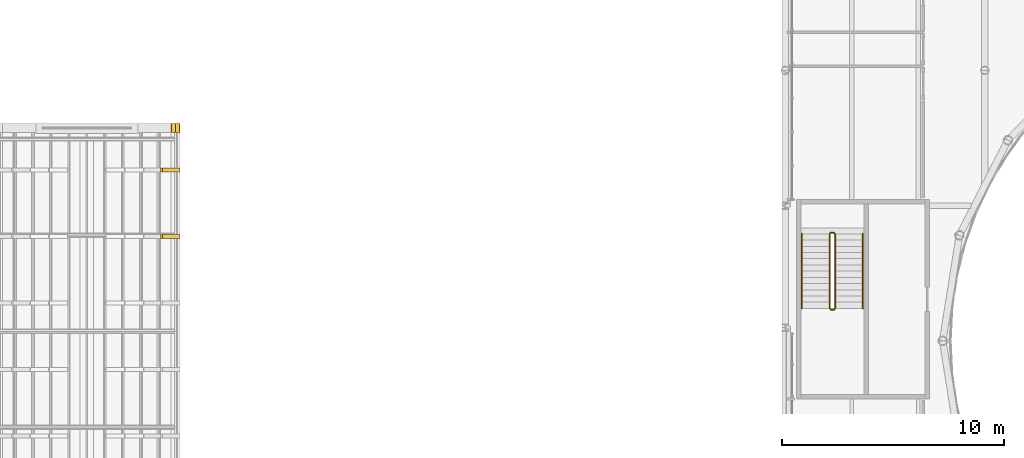
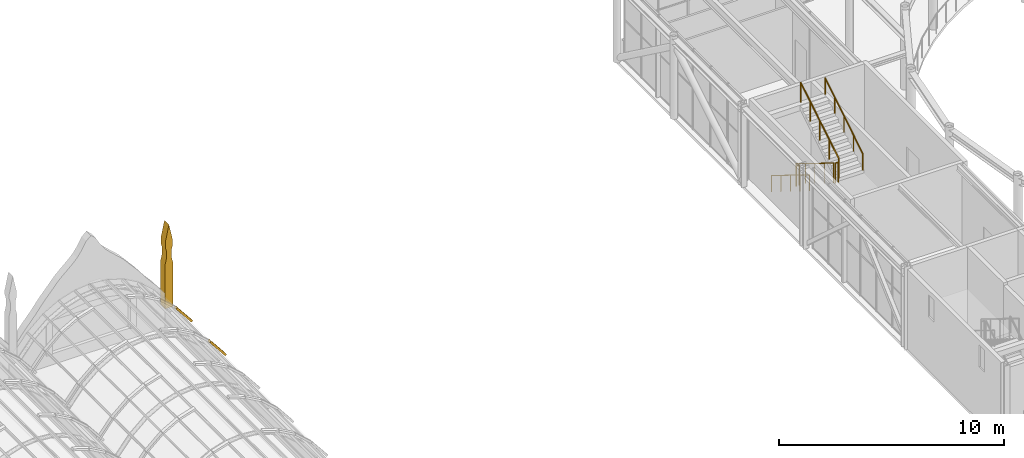
# One storey, part 101 of 111: 6 railings, 3 coverings.
"""IFC4 building model written with IfcOpenShell, lengths in metres."""

from ifc_helpers import new_model, si_unit, direction, frame, origin, origin_2d, place, context, subcontext, project, spatial, polyline, circle, outline, extrude, material, layer, layer_set, type_object, element, save


model = new_model("IFC4")

# Units and contexts
model_context = context("Model", 3, precision=1e-05, world=origin(), true_north=direction((0.0, 1.0)))
body_context = subcontext(model_context, "Body", "Model", "MODEL_VIEW")
ifc_project = project(units=[si_unit("LENGTHUNIT", "METRE"), si_unit("AREAUNIT", "SQUARE_METRE"), si_unit("VOLUMEUNIT", "CUBIC_METRE"), si_unit("PLANEANGLEUNIT", "RADIAN"), si_unit("MASSUNIT", "GRAM", prefix="KILO")], contexts=[model_context])

# Site, building, storey
site_placement = place(None, origin())
site = spatial("IfcSite", under=ifc_project, at=site_placement, CompositionType="ELEMENT")
building_placement = place(site_placement, origin())
building = spatial("IfcBuilding", under=site, at=building_placement, Name="Kallimachos Central Library", CompositionType="ELEMENT")
storey_placement = place(building_placement, frame((0.0, 0.0, 14.39990234375)))
storey = spatial("IfcBuildingStorey", under=building, at=storey_placement, Name="L03", CompositionType="ELEMENT", Elevation=14.39990234375)

# Coverings
ifc_material_1 = material(Name="Glazed ceramic roll tile")
ifc_layer_1 = layer(ifc_material_1, 0.10009765625)
ifc_layer_set_1 = layer_set([ifc_layer_1], Name="Ceramic roll tile rib 180")
covering_type_1 = type_object("IfcCoveringType", Name="Ceramic roll tile rib 180", PredefinedType="ROOFING", material=ifc_layer_set_1)
for number, where, z_axis, x_axis, name in (
    (1, (37.4033203125, 109.010009765625, 2.30224609375), (0.780793550648, 0.0, 0.624789109434), (0.624789109434, 0.0, -0.780793550648), "Barrel roof 4 roll tile rib"),
    (2, (37.4033203125, 112.010009765625, 2.30224609375), (0.780793550648, 0.0, 0.624789109434), (0.624789109434, 0.0, -0.780793550648), "Barrel roof 4 roll tile rib"),
):
    element("IfcCovering", number, at=place(storey_placement, frame(where, z_axis=z_axis, x_axis=x_axis)), inside=storey, type_object=covering_type_1, Name=name, PredefinedType="ROOFING", context=body_context, shape_type="SweptSolid", body=[
        extrude(outline(polyline([(0.0, 0.0), (1.266052197543391, 0.0), (1.266052197543391, 0.179931640625), (0.0, 0.179931640625), (0.0, 0.0)])), origin(), (0.0, 0.0, -1.0), 0.10009765625),
    ])
ifc_material_2 = material(Name="Pentelic marble pinnacle", Category="masonry")
ifc_layer_2 = layer(ifc_material_2, 0.39990234375)
ifc_layer_set_2 = layer_set([ifc_layer_2], Name="Stone pinnacle 400")
covering_type_2 = type_object("IfcCoveringType", Name="Stone pinnacle 400", PredefinedType="MOLDING", material=ifc_layer_set_2)
covering_placement = place(storey_placement, frame((37.800048828125, 114.199951171875, 1.0), z_axis=(0.0, 1.0, 0.0), x_axis=(0.0, 0.0, 1.0)))
element("IfcCovering", 3, at=covering_placement, inside=storey, type_object=covering_type_2, Name="Pinnacle line 5 north", PredefinedType="MOLDING", context=body_context, shape_type="SweptSolid", body=[
    extrude(outline(polyline([(0.0, 0.0), (2.400146484375, 0.0), (2.7001953125, 0.070068359375), (3.10009765625, 0.070068359375), (3.35009765625, 0.010009765625), (3.60009765625, 0.010009765625), (4.5, 0.199951171875), (3.60009765625, 0.389892578125), (3.35009765625, 0.389892578125), (3.10009765625, 0.329833984375), (2.7001953125, 0.329833984375), (2.400146484375, 0.39990234375), (0.0, 0.39990234375), (0.0, 0.199951171875), (0.0, 0.0)])), origin(), (0.0, 0.0, -1.0), 0.39990234375),
])

# Railings
ifc_material_3 = material(Name="Wrought iron")
railing_type_1 = type_object("IfcRailingType", Name="Wrought-iron handrail 900", PredefinedType="HANDRAIL", material=ifc_material_3)
railing_1_placement = place(storey_placement, frame((66.25, 109.22509765625, 0.173095703125)))
element("IfcRailing", 4, at=railing_1_placement, inside=storey, type_object=railing_type_1, Name="L03 ST3 stair handrail 1", PredefinedType="HANDRAIL", context=body_context, shape_type="SweptSolid", body=[
    extrude(circle(Radius=0.02392578125, at=origin_2d()), frame((0.0, 0.0, 0.8759765625), z_axis=(0.0, -0.850623216509, 0.525775754039), x_axis=(1.0, 0.0, 0.0)), (0.0, 0.0, 1.0), 3.9501953125),
    extrude(circle(Radius=0.02099609375, at=origin_2d()), origin(), (0.0, 0.0, 1.0), 0.851806640625),
    extrude(circle(Radius=0.02099609375, at=origin_2d()), frame((0.0, -0.840087890625, 0.519287109375)), (0.0, 0.0, 1.0), 0.851806640625),
    extrude(circle(Radius=0.02099609375, at=origin_2d()), frame((0.0, -1.68017578125, 1.03857421875)), (0.0, 0.0, 1.0), 0.851806640625),
    extrude(circle(Radius=0.02099609375, at=origin_2d()), frame((0.0, -2.52001953125, 1.5576171875)), (0.0, 0.0, 1.0), 0.851806640625),
    extrude(circle(Radius=0.02099609375, at=origin_2d()), frame((0.0, -3.360107421875, 2.076904296875)), (0.0, 0.0, 1.0), 0.851806640625),
])
railing_2_placement = place(storey_placement, frame((69.0, 105.864990234375, 2.423095703125)))
element("IfcRailing", 5, at=railing_2_placement, inside=storey, type_object=railing_type_1, Name="L03 ST3 stair handrail 2", PredefinedType="HANDRAIL", context=body_context, shape_type="SweptSolid", body=[
    extrude(circle(Radius=0.02392578125, at=origin_2d()), frame((0.0, 0.0, 0.8759765625), z_axis=(0.0, 0.850623216509, 0.525775754039), x_axis=(-1.0, 0.0, 0.0)), (0.0, 0.0, 1.0), 3.9501953125),
    extrude(circle(Radius=0.02099609375, at=origin_2d()), origin(), (0.0, 0.0, 1.0), 0.851806640625),
    extrude(circle(Radius=0.02099609375, at=origin_2d()), frame((0.0, 0.840087890625, 0.519287109375)), (0.0, 0.0, 1.0), 0.851806640625),
    extrude(circle(Radius=0.02099609375, at=origin_2d()), frame((0.0, 1.68017578125, 1.03857421875)), (0.0, 0.0, 1.0), 0.851806640625),
    extrude(circle(Radius=0.02099609375, at=origin_2d()), frame((0.0, 2.52001953125, 1.5576171875)), (0.0, 0.0, 1.0), 0.851806640625),
    extrude(circle(Radius=0.02099609375, at=origin_2d()), frame((0.0, 3.360107421875, 2.076904296875)), (0.0, 0.0, 1.0), 0.851806640625),
])
ifc_material_4 = material(Name="Wrought iron")
railing_type_2 = type_object("IfcRailingType", Name="Wrought-iron stair guard 1100", PredefinedType="GUARDRAIL", material=ifc_material_4)
railing_3_placement = place(storey_placement, frame((67.5, 109.22509765625, 0.173095703125)))
element("IfcRailing", 6, at=railing_3_placement, inside=storey, type_object=railing_type_2, Name="L03 ST3 stair guard 1", PredefinedType="GUARDRAIL", context=body_context, shape_type="SweptSolid", body=[
    extrude(circle(Radius=0.02392578125, at=origin_2d()), frame((0.0, 0.0, 1.076171875), z_axis=(0.0, -0.850623216509, 0.525775754039), x_axis=(1.0, 0.0, 0.0)), (0.0, 0.0, 1.0), 3.9501953125),
    extrude(circle(Radius=0.02099609375, at=origin_2d()), origin(), (0.0, 0.0, 1.0), 1.052001953125),
    extrude(circle(Radius=0.02099609375, at=origin_2d()), frame((0.0, -0.840087890625, 0.519287109375)), (0.0, 0.0, 1.0), 1.052001953125),
    extrude(circle(Radius=0.02099609375, at=origin_2d()), frame((0.0, -1.68017578125, 1.03857421875)), (0.0, 0.0, 1.0), 1.052001953125),
    extrude(circle(Radius=0.02099609375, at=origin_2d()), frame((0.0, -2.52001953125, 1.5576171875)), (0.0, 0.0, 1.0), 1.052001953125),
    extrude(circle(Radius=0.02099609375, at=origin_2d()), frame((0.0, -3.360107421875, 2.076904296875)), (0.0, 0.0, 1.0), 1.052001953125),
])
railing_4_placement = place(storey_placement, frame((67.550048828125, 105.81494140625, 2.25)))
element("IfcRailing", 7, at=railing_4_placement, inside=storey, type_object=railing_type_2, Name="L03 ST3 stair guard 2", PredefinedType="GUARDRAIL", context=body_context, shape_type="SweptSolid", body=[
    extrude(circle(Radius=0.02392578125, at=origin_2d()), frame((0.0, 0.0, 1.076171875), z_axis=(1.0, 0.0, 0.0), x_axis=(0.0, 1.0, 0.0)), (0.0, 0.0, 1.0), 0.14990234375),
    extrude(circle(Radius=0.02099609375, at=origin_2d()), origin(), (0.0, 0.0, 1.0), 1.052001953125),
    extrude(circle(Radius=0.02099609375, at=origin_2d()), frame((0.14990234375, 0.0, 0.0)), (0.0, 0.0, 1.0), 1.052001953125),
])
railing_5_placement = place(storey_placement, frame((67.75, 105.864990234375, 2.423095703125)))
element("IfcRailing", 8, at=railing_5_placement, inside=storey, type_object=railing_type_2, Name="L03 ST3 stair guard 3", PredefinedType="GUARDRAIL", context=body_context, shape_type="SweptSolid", body=[
    extrude(circle(Radius=0.02392578125, at=origin_2d()), frame((0.0, 0.0, 1.076171875), z_axis=(0.0, 0.850623216509, 0.525775754039), x_axis=(-1.0, 0.0, 0.0)), (0.0, 0.0, 1.0), 3.9501953125),
    extrude(circle(Radius=0.02099609375, at=origin_2d()), origin(), (0.0, 0.0, 1.0), 1.052001953125),
    extrude(circle(Radius=0.02099609375, at=origin_2d()), frame((0.0, 0.840087890625, 0.519287109375)), (0.0, 0.0, 1.0), 1.052001953125),
    extrude(circle(Radius=0.02099609375, at=origin_2d()), frame((0.0, 1.68017578125, 1.03857421875)), (0.0, 0.0, 1.0), 1.052001953125),
    extrude(circle(Radius=0.02099609375, at=origin_2d()), frame((0.0, 2.52001953125, 1.5576171875)), (0.0, 0.0, 1.0), 1.052001953125),
    extrude(circle(Radius=0.02099609375, at=origin_2d()), frame((0.0, 3.360107421875, 2.076904296875)), (0.0, 0.0, 1.0), 1.052001953125),
])
railing_6_placement = place(storey_placement, frame((67.550048828125, 109.27490234375, 0.0)))
element("IfcRailing", 9, at=railing_6_placement, inside=storey, type_object=railing_type_2, Name="L03 ST3 stair guard 4", PredefinedType="GUARDRAIL", context=body_context, shape_type="SweptSolid", body=[
    extrude(circle(Radius=0.02392578125, at=origin_2d()), frame((0.0, 0.0, 1.076171875), z_axis=(1.0, 0.0, 0.0), x_axis=(0.0, 1.0, 0.0)), (0.0, 0.0, 1.0), 0.14990234375),
    extrude(circle(Radius=0.02099609375, at=origin_2d()), origin(), (0.0, 0.0, 1.0), 1.052001953125),
    extrude(circle(Radius=0.02099609375, at=origin_2d()), frame((0.14990234375, 0.0, 0.0)), (0.0, 0.0, 1.0), 1.052001953125),
])

save(model, "model.ifc")
